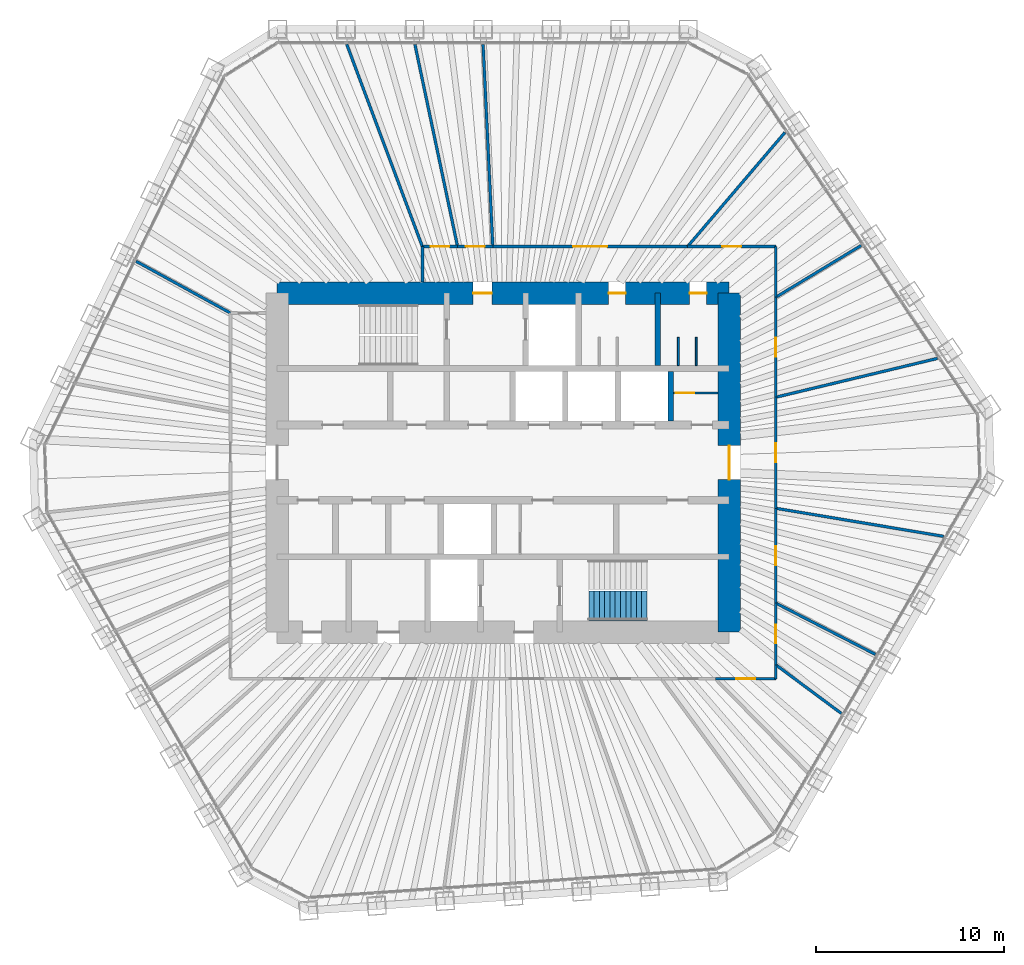
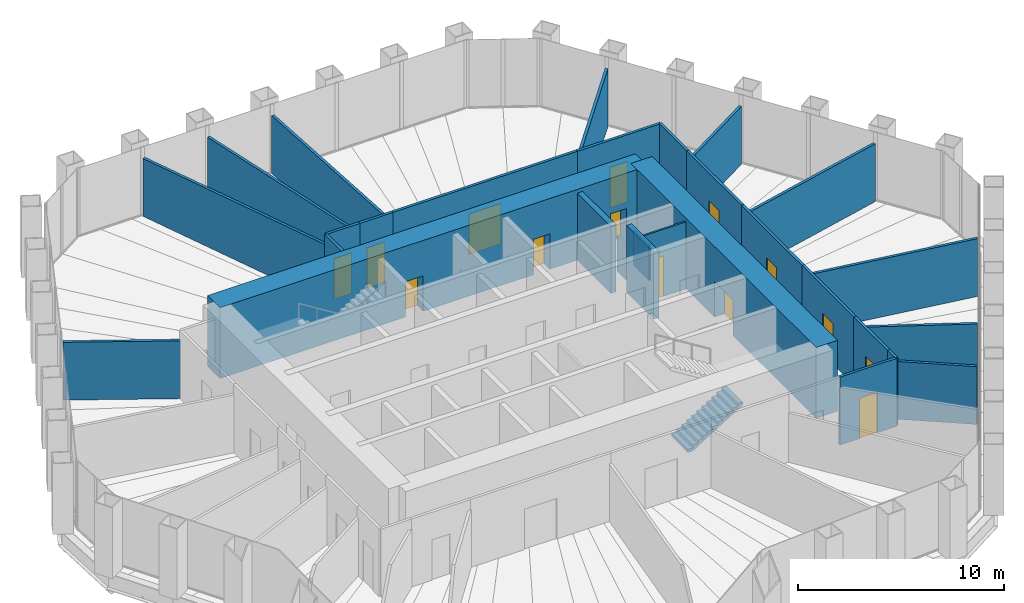
# One storey, part 12 of 14: 29 walls, 14 doors, 1 stair flight, 14 openings, 1 element without a shape of its own.
"""IFC4 building model written with IfcOpenShell, lengths in metres."""

from ifc_helpers import new_model, si_unit, direction, frame, frame_2d, origin, place, context, subcontext, project, spatial, polyline, rectangle, outline, extrude, material, layer, layer_set, type_object, element, fill, aggregate, save


model = new_model("IFC4")

# Units and contexts
model_context = context("Model", 3, precision=1e-05, world=origin(), true_north=direction((0.0, 1.0)))
body_context = subcontext(model_context, "Body", "Model", "MODEL_VIEW")
ifc_project = project(units=[si_unit("LENGTHUNIT", "METRE"), si_unit("AREAUNIT", "SQUARE_METRE"), si_unit("VOLUMEUNIT", "CUBIC_METRE"), si_unit("PLANEANGLEUNIT", "RADIAN"), si_unit("MASSUNIT", "GRAM", prefix="KILO")], contexts=[model_context])

# Site, building, storey
site_placement = place(None, origin())
site = spatial("IfcSite", under=ifc_project, at=site_placement, CompositionType="ELEMENT")
building_placement = place(site_placement, origin())
building = spatial("IfcBuilding", under=site, at=building_placement, Name="Qingtian Harvest Tower", CompositionType="ELEMENT")
storey_placement = place(building_placement, frame((0.0, 0.0, 239.199951171875)))
storey = spatial("IfcBuildingStorey", under=building, at=storey_placement, Name="L52", CompositionType="ELEMENT", Elevation=239.199951171875)

# Walls
ifc_material_1 = material(Name="Precast concrete shaft panel", Category="concrete")
ifc_layer_1 = layer(ifc_material_1, 0.300048828125)
ifc_layer_set_1 = layer_set([ifc_layer_1], Name="Core shaft partition SW1 300")
wall_type_1 = type_object("IfcWallType", Name="Core shaft partition SW1 300", PredefinedType="PARTITIONING", material=ifc_layer_set_1)
wall_1_placement = place(storey_placement, frame((8.199951171875, 5.14990234375, 0.0), z_axis=(0.0, 0.0, 1.0), x_axis=(0.0, 1.0, 0.0)))
element("IfcWall", 1, at=wall_1_placement, inside=storey, type_object=wall_type_1, Name="Core shaft partition XN4 L52", PredefinedType="PARTITIONING", context=body_context, shape_type="SweptSolid", body=[
    extrude(rectangle(XDim=3.85009765625, YDim=0.300048828125, at=frame_2d((1.925048828125, 0.0))), origin(), (0.0, 0.0, 1.0), 3.97998046875),
])
wall_2_placement = place(storey_placement, frame((8.89990234375, 2.199951171875, 0.0), z_axis=(0.0, 0.0, 1.0), x_axis=(0.0, 1.0, 0.0)))
element("IfcWall", 2, at=wall_2_placement, inside=storey, type_object=wall_type_1, Name="Core shaft partition XA6 L52", PredefinedType="PARTITIONING", context=body_context, shape_type="SweptSolid", body=[
    extrude(rectangle(XDim=2.650146484375, YDim=0.300048828125, at=frame_2d((1.3251953125, 0.0))), origin(), (0.0, 0.0, 1.0), 3.97998046875),
])

# Wall, openings, doors
ifc_material_2 = material(Name="Concrete fc' 70 MPa", Category="concrete")
ifc_layer_2 = layer(ifc_material_2, 1.199951171875)
ifc_layer_set_2 = layer_set([ifc_layer_2], Name="Core wall RC2 1200")
wall_type_2 = type_object("IfcWallType", Name="Core wall RC2 1200", PredefinedType="SHEAR", material=ifc_layer_set_2)
wall_3_placement = place(storey_placement, frame((-12.0, 9.0, 0.0), z_axis=(0.0, 0.0, 1.0), x_axis=(1.0, 0.0, 0.0)))
wall_3 = element("IfcWall", 3, at=wall_3_placement, inside=storey, type_object=wall_type_2, Name="Core wall CN L52", PredefinedType="SHEAR", context=body_context, shape_type="SweptSolid", body=[
    extrude(rectangle(XDim=24.0, YDim=1.199951171875, at=frame_2d((12.0, 0.0))), origin(), (0.0, 0.0, 1.0), 4.199951171875),
])
opening_1_placement = place(wall_3_placement, frame((10.39990234375, 0.0, 0.0)))
opening_1 = element("IfcOpeningElement", 4, at=opening_1_placement, cuts=wall_3, Name="Opening FD1", PredefinedType="OPENING", context=body_context, shape_type="SweptSolid", body=[
    extrude(rectangle(XDim=1.0, YDim=2.10009765625, at=frame_2d((0.5, 1.050048828125))), frame((0.0, 0.60986328125, 0.0), z_axis=(0.0, -1.0, 0.0), x_axis=(1.0, 0.0, 0.0)), (0.0, 0.0, 1.0), 1.219970703125),
])
opening_2_placement = place(wall_3_placement, frame((17.60009765625, 0.0, 0.0)))
opening_2 = element("IfcOpeningElement", 5, at=opening_2_placement, cuts=wall_3, Name="Opening D1", PredefinedType="OPENING", context=body_context, shape_type="SweptSolid", body=[
    extrude(rectangle(XDim=0.89990234375, YDim=2.10009765625, at=frame_2d((0.449951171875, 1.050048828125))), frame((0.0, 0.60986328125, 0.0), z_axis=(0.0, -1.0, 0.0), x_axis=(1.0, 0.0, 0.0)), (0.0, 0.0, 1.0), 1.219970703125),
])
opening_3_placement = place(wall_3_placement, frame((21.89990234375, 0.0, 0.0)))
opening_3 = element("IfcOpeningElement", 6, at=opening_3_placement, cuts=wall_3, Name="Opening D1", PredefinedType="OPENING", context=body_context, shape_type="SweptSolid", body=[
    extrude(rectangle(XDim=0.89990234375, YDim=2.10009765625, at=frame_2d((0.449951171875, 1.050048828125))), frame((0.0, 0.60986328125, 0.0), z_axis=(0.0, -1.0, 0.0), x_axis=(1.0, 0.0, 0.0)), (0.0, 0.0, 1.0), 1.219970703125),
])
ifc_material_3 = material(Name="Steel-faced door leaf", Category="steel")
door_type_1 = type_object("IfcDoorType", Name="Fire door FD1 single 1 HR", OperationType="SINGLE_SWING_LEFT", PredefinedType="DOOR", material=ifc_material_3)
door_1_placement = place(opening_1_placement, origin())
door_1 = element("IfcDoor", 7, at=door_1_placement, inside=storey, type_object=door_type_1, Name="V1 door L52", OperationType="SINGLE_SWING_LEFT", OverallHeight=2.10009765625, OverallWidth=1.0, PredefinedType="DOOR", context=body_context, shape_type="SweptSolid", body=[
    extrude(rectangle(XDim=1.0, YDim=2.10009765625, at=frame_2d((0.5, 1.050048828125))), frame((0.0, 0.02490234375, 0.0), z_axis=(0.0, -1.0, 0.0), x_axis=(1.0, 0.0, 0.0)), (0.0, 0.0, 1.0), 0.050048828125),
])
fill(opening_1, door_1)
ifc_material_4 = material(Name="Laminated timber door leaf", Category="wood")
door_type_2 = type_object("IfcDoorType", Name="Toilet door D1 single", OperationType="SINGLE_SWING_LEFT", PredefinedType="DOOR", material=ifc_material_4)
door_2_placement = place(opening_2_placement, origin())
door_2 = element("IfcDoor", 8, at=door_2_placement, inside=storey, type_object=door_type_2, Name="WCM door L52", OperationType="SINGLE_SWING_LEFT", OverallHeight=2.10009765625, OverallWidth=0.89990234375, PredefinedType="DOOR", context=body_context, shape_type="SweptSolid", body=[
    extrude(rectangle(XDim=0.89990234375, YDim=2.10009765625, at=frame_2d((0.449951171875, 1.050048828125))), frame((0.0, 0.02490234375, 0.0), z_axis=(0.0, -1.0, 0.0), x_axis=(1.0, 0.0, 0.0)), (0.0, 0.0, 1.0), 0.050048828125),
])
fill(opening_2, door_2)
door_3_placement = place(opening_3_placement, origin())
door_3 = element("IfcDoor", 9, at=door_3_placement, inside=storey, type_object=door_type_2, Name="WCF door L52", OperationType="SINGLE_SWING_LEFT", OverallHeight=2.10009765625, OverallWidth=0.89990234375, PredefinedType="DOOR", context=body_context, shape_type="SweptSolid", body=[
    extrude(rectangle(XDim=0.89990234375, YDim=2.10009765625, at=frame_2d((0.449951171875, 1.050048828125))), frame((0.0, 0.02490234375, 0.0), z_axis=(0.0, -1.0, 0.0), x_axis=(1.0, 0.0, 0.0)), (0.0, 0.0, 1.0), 0.050048828125),
])
fill(opening_3, door_3)

# Wall, opening, door
wall_4_placement = place(storey_placement, frame((12.0, -9.0, 0.0), z_axis=(0.0, 0.0, 1.0), x_axis=(0.0, 1.0, 0.0)))
wall_4 = element("IfcWall", 10, at=wall_4_placement, inside=storey, type_object=wall_type_2, Name="Core wall CE L52", PredefinedType="SHEAR", context=body_context, shape_type="SweptSolid", body=[
    extrude(rectangle(XDim=18.0, YDim=1.199951171875, at=frame_2d((9.0, 0.0))), origin(), (0.0, 0.0, 1.0), 4.199951171875),
])
opening_4_placement = place(wall_4_placement, frame((8.10009765625, 0.0, 0.0)))
opening_4 = element("IfcOpeningElement", 11, at=opening_4_placement, cuts=wall_4, Name="Opening FD2", PredefinedType="OPENING", context=body_context, shape_type="SweptSolid", body=[
    extrude(rectangle(XDim=1.800048828125, YDim=2.10009765625, at=frame_2d((0.89990234375, 1.050048828125))), frame((0.0, 0.60986328125, 0.0), z_axis=(0.0, -1.0, 0.0), x_axis=(1.0, 0.0, 0.0)), (0.0, 0.0, 1.0), 1.219970703125),
])
ifc_material_5 = material(Name="Steel-faced door leaf", Category="steel")
door_type_3 = type_object("IfcDoorType", Name="Fire door FD2 double 1 HR", OperationType="DOUBLE_DOOR_DOUBLE_SWING", PredefinedType="DOOR", material=ifc_material_5)
door_4_placement = place(opening_4_placement, origin())
door_4 = element("IfcDoor", 12, at=door_4_placement, inside=storey, type_object=door_type_3, Name="LOBBY-E door L52", OperationType="DOUBLE_DOOR_DOUBLE_SWING", OverallHeight=2.10009765625, OverallWidth=1.800048828125, PredefinedType="DOOR", context=body_context, shape_type="SweptSolid", body=[
    extrude(rectangle(XDim=1.800048828125, YDim=2.10009765625, at=frame_2d((0.89990234375, 1.050048828125))), frame((0.0, 0.02490234375, 0.0), z_axis=(0.0, -1.0, 0.0), x_axis=(1.0, 0.0, 0.0)), (0.0, 0.0, 1.0), 0.050048828125),
])
fill(opening_4, door_4)

# Walls
ifc_material_6 = material(Name="Gypsum board on steel studs", Category="steel")
ifc_layer_3 = layer(ifc_material_6, 0.14990234375)
ifc_layer_set_3 = layer_set([ifc_layer_3], Name="Partition PT1 150")
wall_type_3 = type_object("IfcWallType", Name="Partition PT1 150", PredefinedType="PARTITIONING", material=ifc_layer_set_3)
wall_5_placement = place(storey_placement, frame((-19.48583984375, 10.6904296875, 0.0), z_axis=(0.0, 0.0, 1.0), x_axis=(0.876724089264, -0.480993629172, 0.0)))
element("IfcWall", 13, at=wall_5_placement, inside=storey, type_object=wall_type_3, Name="Workplace zone wall L52", PredefinedType="PARTITIONING", context=body_context, shape_type="SweptSolid", body=[
    extrude(rectangle(XDim=5.71533203125, YDim=0.14990234375, at=frame_2d((2.857666015625, 0.0))), origin(), (0.0, 0.0, 1.0), 3.429931640625),
])
wall_6_placement = place(storey_placement, frame((-4.290771484375, 9.60009765625, 0.0), z_axis=(0.0, 0.0, 1.0), x_axis=(0.0, 1.0, 0.0)))
element("IfcWall", 14, at=wall_6_placement, inside=storey, type_object=wall_type_3, Name="Workplace zone wall L52", PredefinedType="PARTITIONING", context=body_context, shape_type="SweptSolid", body=[
    extrude(rectangle(XDim=1.875, YDim=0.14990234375, at=frame_2d((0.9375, 0.0))), origin(), (0.0, 0.0, 1.0), 4.030029296875),
])
wall_7_placement = place(storey_placement, frame((-8.303466796875, 22.206298828125, 0.0), z_axis=(0.0, 0.0, 1.0), x_axis=(0.350242883069, -0.936658914899, 0.0)))
element("IfcWall", 15, at=wall_7_placement, inside=storey, type_object=wall_type_3, Name="Private office wall L52", PredefinedType="PARTITIONING", context=body_context, shape_type="SweptSolid", body=[
    extrude(rectangle(XDim=11.456787109375, YDim=0.14990234375, at=frame_2d((5.728515625, 0.0))), origin(), (0.0, 0.0, 1.0), 3.429931640625),
])

# Wall, opening, door
wall_8_placement = place(storey_placement, frame((-4.290771484375, 11.47509765625, 0.0), z_axis=(0.0, 0.0, 1.0), x_axis=(1.0, 0.0, 0.0)))
wall_8 = element("IfcWall", 16, at=wall_8_placement, inside=storey, type_object=wall_type_3, Name="Private office wall L52", PredefinedType="PARTITIONING", context=body_context, shape_type="SweptSolid", body=[
    extrude(rectangle(XDim=1.869873046875, YDim=0.14990234375, at=frame_2d((0.93505859375, 0.0))), origin(), (0.0, 0.0, 1.0), 4.030029296875),
])
opening_5_placement = place(wall_8_placement, frame((0.434814453125, 0.0, 0.0)))
opening_5 = element("IfcOpeningElement", 17, at=opening_5_placement, cuts=wall_8, Name="Opening D2", PredefinedType="OPENING", context=body_context, shape_type="SweptSolid", body=[
    extrude(rectangle(XDim=1.0, YDim=2.39990234375, at=frame_2d((0.5, 1.199951171875))), frame((0.0, 0.0849609375, 0.0), z_axis=(0.0, -1.0, 0.0), x_axis=(1.0, 0.0, 0.0)), (0.0, 0.0, 1.0), 0.169921875),
])
ifc_material_7 = material(Name="Laminated timber door leaf", Category="wood")
door_type_4 = type_object("IfcDoorType", Name="Room door D2 single", OperationType="SINGLE_SWING_LEFT", PredefinedType="DOOR", material=ifc_material_7)
door_5_placement = place(opening_5_placement, origin())
door_5 = element("IfcDoor", 18, at=door_5_placement, inside=storey, type_object=door_type_4, Name="Private office door L52", OperationType="SINGLE_SWING_LEFT", OverallHeight=2.39990234375, OverallWidth=1.0, PredefinedType="DOOR", context=body_context, shape_type="SweptSolid", body=[
    extrude(rectangle(XDim=1.0, YDim=2.39990234375, at=frame_2d((0.5, 1.199951171875))), frame((0.0, 0.02490234375, 0.0), z_axis=(0.0, -1.0, 0.0), x_axis=(1.0, 0.0, 0.0)), (0.0, 0.0, 1.0), 0.050048828125),
])
fill(opening_5, door_5)

# Wall
wall_9_placement = place(storey_placement, frame((-4.684326171875, 22.2021484375, 0.0), z_axis=(0.0, 0.0, 1.0), x_axis=(0.206456017157, -0.978455881979, 0.0)))
element("IfcWall", 19, at=wall_9_placement, inside=storey, type_object=wall_type_3, Name="Store room wall L52", PredefinedType="PARTITIONING", context=body_context, shape_type="SweptSolid", body=[
    extrude(rectangle(XDim=10.963134765625, YDim=0.14990234375, at=frame_2d((5.4814453125, 0.0))), origin(), (0.0, 0.0, 1.0), 3.429931640625),
])

# Wall, opening, door
wall_10_placement = place(storey_placement, frame((-2.4208984375, 11.47509765625, 0.0), z_axis=(0.0, 0.0, 1.0), x_axis=(1.0, 0.0, 0.0)))
wall_10 = element("IfcWall", 20, at=wall_10_placement, inside=storey, type_object=wall_type_3, Name="Store room wall L52", PredefinedType="PARTITIONING", context=body_context, shape_type="SweptSolid", body=[
    extrude(rectangle(XDim=1.86962890625, YDim=0.14990234375, at=frame_2d((0.934814453125, 0.0))), origin(), (0.0, 0.0, 1.0), 4.030029296875),
])
opening_6_placement = place(wall_10_placement, frame((0.434814453125, 0.0, 0.0)))
opening_6 = element("IfcOpeningElement", 21, at=opening_6_placement, cuts=wall_10, Name="Opening D2", PredefinedType="OPENING", context=body_context, shape_type="SweptSolid", body=[
    extrude(rectangle(XDim=1.0, YDim=2.39990234375, at=frame_2d((0.5, 1.199951171875))), frame((0.0, 0.0849609375, 0.0), z_axis=(0.0, -1.0, 0.0), x_axis=(1.0, 0.0, 0.0)), (0.0, 0.0, 1.0), 0.169921875),
])
door_6_placement = place(opening_6_placement, origin())
door_6 = element("IfcDoor", 22, at=door_6_placement, inside=storey, type_object=door_type_4, Name="Store room door L52", OperationType="SINGLE_SWING_LEFT", OverallHeight=2.39990234375, OverallWidth=1.0, PredefinedType="DOOR", context=body_context, shape_type="SweptSolid", body=[
    extrude(rectangle(XDim=1.0, YDim=2.39990234375, at=frame_2d((0.5, 1.199951171875))), frame((0.0, 0.02490234375, 0.0), z_axis=(0.0, -1.0, 0.0), x_axis=(1.0, 0.0, 0.0)), (0.0, 0.0, 1.0), 0.050048828125),
])
fill(opening_6, door_6)

# Wall
wall_11_placement = place(storey_placement, frame((-1.066650390625, 22.2001953125, 0.0), z_axis=(0.0, 0.0, 1.0), x_axis=(0.047998335863, -0.998847415652, 0.0)))
element("IfcWall", 23, at=wall_11_placement, inside=storey, type_object=wall_type_3, Name="Workplace zone wall L52", PredefinedType="PARTITIONING", context=body_context, shape_type="SweptSolid", body=[
    extrude(rectangle(XDim=10.737548828125, YDim=0.14990234375, at=frame_2d((5.36865234375, 0.0))), origin(), (0.0, 0.0, 1.0), 3.429931640625),
])

# Wall, opening, door
wall_12_placement = place(storey_placement, frame((-0.55126953125, 11.47509765625, 0.0), z_axis=(0.0, 0.0, 1.0), x_axis=(1.0, 0.0, 0.0)))
wall_12 = element("IfcWall", 24, at=wall_12_placement, inside=storey, type_object=wall_type_3, Name="Workplace zone wall L52", PredefinedType="PARTITIONING", context=body_context, shape_type="SweptSolid", body=[
    extrude(rectangle(XDim=10.34228515625, YDim=0.14990234375, at=frame_2d((5.171142578125, 0.0))), origin(), (0.0, 0.0, 1.0), 4.030029296875),
])
opening_7_placement = place(wall_12_placement, frame((4.271240234375, 0.0, 0.0)))
opening_7 = element("IfcOpeningElement", 25, at=opening_7_placement, cuts=wall_12, Name="Opening D3", PredefinedType="OPENING", context=body_context, shape_type="SweptSolid", body=[
    extrude(rectangle(XDim=1.800048828125, YDim=2.39990234375, at=frame_2d((0.89990234375, 1.199951171875))), frame((0.0, 0.0849609375, 0.0), z_axis=(0.0, -1.0, 0.0), x_axis=(1.0, 0.0, 0.0)), (0.0, 0.0, 1.0), 0.169921875),
])
ifc_material_8 = material(Name="Laminated timber door leaf", Category="wood")
door_type_5 = type_object("IfcDoorType", Name="Room door D3 double", OperationType="DOUBLE_DOOR_DOUBLE_SWING", PredefinedType="DOOR", material=ifc_material_8)
door_7_placement = place(opening_7_placement, origin())
door_7 = element("IfcDoor", 26, at=door_7_placement, inside=storey, type_object=door_type_5, Name="Workplace zone door L52", OperationType="DOUBLE_DOOR_DOUBLE_SWING", OverallHeight=2.39990234375, OverallWidth=1.800048828125, PredefinedType="DOOR", context=body_context, shape_type="SweptSolid", body=[
    extrude(rectangle(XDim=1.800048828125, YDim=2.39990234375, at=frame_2d((0.89990234375, 1.199951171875))), frame((0.0, 0.02490234375, 0.0), z_axis=(0.0, -1.0, 0.0), x_axis=(1.0, 0.0, 0.0)), (0.0, 0.0, 1.0), 0.050048828125),
])
fill(opening_7, door_7)

# Wall
wall_13_placement = place(storey_placement, frame((14.9580078125, 17.530517578125, 0.0), z_axis=(0.0, 0.0, 1.0), x_axis=(-0.649097500837, -0.760705221756, 0.0)))
element("IfcWall", 27, at=wall_13_placement, inside=storey, type_object=wall_type_3, Name="Pantry wall L52", PredefinedType="PARTITIONING", context=body_context, shape_type="SweptSolid", body=[
    extrude(rectangle(XDim=7.960205078125, YDim=0.14990234375, at=frame_2d((3.97998046875, 0.0))), origin(), (0.0, 0.0, 1.0), 3.429931640625),
])

# Wall, opening, door
wall_14_placement = place(storey_placement, frame((9.791015625, 11.47509765625, 0.0), z_axis=(0.0, 0.0, 1.0), x_axis=(1.0, 0.0, 0.0)))
wall_14 = element("IfcWall", 28, at=wall_14_placement, inside=storey, type_object=wall_type_3, Name="Pantry wall L52", PredefinedType="PARTITIONING", context=body_context, shape_type="SweptSolid", body=[
    extrude(rectangle(XDim=4.68408203125, YDim=0.14990234375, at=frame_2d((2.342041015625, 0.0))), origin(), (0.0, 0.0, 1.0), 4.030029296875),
])
opening_8_placement = place(wall_14_placement, frame((1.842041015625, 0.0, 0.0)))
opening_8 = element("IfcOpeningElement", 29, at=opening_8_placement, cuts=wall_14, Name="Opening D2", PredefinedType="OPENING", context=body_context, shape_type="SweptSolid", body=[
    extrude(rectangle(XDim=1.0, YDim=2.39990234375, at=frame_2d((0.5, 1.199951171875))), frame((0.0, 0.0849609375, 0.0), z_axis=(0.0, -1.0, 0.0), x_axis=(1.0, 0.0, 0.0)), (0.0, 0.0, 1.0), 0.169921875),
])
door_8_placement = place(opening_8_placement, origin())
door_8 = element("IfcDoor", 30, at=door_8_placement, inside=storey, type_object=door_type_4, Name="Pantry door L52", OperationType="SINGLE_SWING_RIGHT", OverallHeight=2.39990234375, OverallWidth=1.0, PredefinedType="DOOR", context=body_context, shape_type="SweptSolid", body=[
    extrude(rectangle(XDim=1.0, YDim=2.39990234375, at=frame_2d((0.5, 1.199951171875))), frame((0.0, 0.02490234375, 0.0), z_axis=(0.0, -1.0, 0.0), x_axis=(1.0, 0.0, 0.0)), (0.0, 0.0, 1.0), 0.050048828125),
])
fill(opening_8, door_8)

# Walls
wall_15_placement = place(storey_placement, frame((14.47509765625, 11.47509765625, 0.0), z_axis=(0.0, 0.0, 1.0), x_axis=(0.0, -1.0, 0.0)))
element("IfcWall", 31, at=wall_15_placement, inside=storey, type_object=wall_type_3, Name="Pantry wall L52", PredefinedType="PARTITIONING", context=body_context, shape_type="SweptSolid", body=[
    extrude(rectangle(XDim=2.691650390625, YDim=0.14990234375, at=frame_2d((1.345703125, 0.0))), origin(), (0.0, 0.0, 1.0), 4.030029296875),
])
wall_16_placement = place(storey_placement, frame((19.001220703125, 11.530029296875, 0.0), z_axis=(0.0, 0.0, 1.0), x_axis=(-0.854906581035, -0.518781975114, 0.0)))
element("IfcWall", 32, at=wall_16_placement, inside=storey, type_object=wall_type_3, Name="Print room wall L52", PredefinedType="PARTITIONING", context=body_context, shape_type="SweptSolid", body=[
    extrude(rectangle(XDim=5.294189453125, YDim=0.14990234375, at=frame_2d((2.64697265625, 0.0))), origin(), (0.0, 0.0, 1.0), 3.429931640625),
])

# Wall, opening, door
wall_17_placement = place(storey_placement, frame((14.47509765625, 8.783447265625, 0.0), z_axis=(0.0, 0.0, 1.0), x_axis=(0.0, -1.0, 0.0)))
wall_17 = element("IfcWall", 33, at=wall_17_placement, inside=storey, type_object=wall_type_3, Name="Print room wall L52", PredefinedType="PARTITIONING", context=body_context, shape_type="SweptSolid", body=[
    extrude(rectangle(XDim=5.308837890625, YDim=0.14990234375, at=frame_2d((2.654296875, 0.0))), origin(), (0.0, 0.0, 1.0), 4.030029296875),
])
opening_9_placement = place(wall_17_placement, frame((2.154296875, 0.0, 0.0)))
opening_9 = element("IfcOpeningElement", 34, at=opening_9_placement, cuts=wall_17, Name="Opening D2", PredefinedType="OPENING", context=body_context, shape_type="SweptSolid", body=[
    extrude(rectangle(XDim=1.0, YDim=2.39990234375, at=frame_2d((0.5, 1.199951171875))), frame((0.0, 0.0849609375, 0.0), z_axis=(0.0, -1.0, 0.0), x_axis=(1.0, 0.0, 0.0)), (0.0, 0.0, 1.0), 0.169921875),
])
door_9_placement = place(opening_9_placement, origin())
door_9 = element("IfcDoor", 35, at=door_9_placement, inside=storey, type_object=door_type_4, Name="Print room door L52", OperationType="SINGLE_SWING_RIGHT", OverallHeight=2.39990234375, OverallWidth=1.0, PredefinedType="DOOR", context=body_context, shape_type="SweptSolid", body=[
    extrude(rectangle(XDim=1.0, YDim=2.39990234375, at=frame_2d((0.5, 1.199951171875))), frame((0.0, 0.02490234375, 0.0), z_axis=(0.0, -1.0, 0.0), x_axis=(1.0, 0.0, 0.0)), (0.0, 0.0, 1.0), 0.050048828125),
])
fill(opening_9, door_9)

# Wall
wall_18_placement = place(storey_placement, frame((23.052978515625, 5.53369140625, 0.0), z_axis=(0.0, 0.0, 1.0), x_axis=(-0.972377252501, -0.233414821335, 0.0)))
element("IfcWall", 36, at=wall_18_placement, inside=storey, type_object=wall_type_3, Name="Meeting room wall L52", PredefinedType="PARTITIONING", context=body_context, shape_type="SweptSolid", body=[
    extrude(rectangle(XDim=8.821533203125, YDim=0.14990234375, at=frame_2d((4.41064453125, 0.0))), origin(), (0.0, 0.0, 1.0), 3.429931640625),
])

# Wall, opening, door
wall_19_placement = place(storey_placement, frame((14.47509765625, 3.474609375, 0.0), z_axis=(0.0, 0.0, 1.0), x_axis=(0.0, -1.0, 0.0)))
wall_19 = element("IfcWall", 37, at=wall_19_placement, inside=storey, type_object=wall_type_3, Name="Meeting room wall L52", PredefinedType="PARTITIONING", context=body_context, shape_type="SweptSolid", body=[
    extrude(rectangle(XDim=5.896484375, YDim=0.14990234375, at=frame_2d((2.9482421875, 0.0))), origin(), (0.0, 0.0, 1.0), 4.030029296875),
])
opening_10_placement = place(wall_19_placement, frame((2.4482421875, 0.0, 0.0)))
opening_10 = element("IfcOpeningElement", 38, at=opening_10_placement, cuts=wall_19, Name="Opening D2", PredefinedType="OPENING", context=body_context, shape_type="SweptSolid", body=[
    extrude(rectangle(XDim=1.0, YDim=2.39990234375, at=frame_2d((0.5, 1.199951171875))), frame((0.0, 0.0849609375, 0.0), z_axis=(0.0, -1.0, 0.0), x_axis=(1.0, 0.0, 0.0)), (0.0, 0.0, 1.0), 0.169921875),
])
door_10_placement = place(opening_10_placement, origin())
door_10 = element("IfcDoor", 39, at=door_10_placement, inside=storey, type_object=door_type_4, Name="Meeting room door L52", OperationType="SINGLE_SWING_RIGHT", OverallHeight=2.39990234375, OverallWidth=1.0, PredefinedType="DOOR", context=body_context, shape_type="SweptSolid", body=[
    extrude(rectangle(XDim=1.0, YDim=2.39990234375, at=frame_2d((0.5, 1.199951171875))), frame((0.0, 0.02490234375, 0.0), z_axis=(0.0, -1.0, 0.0), x_axis=(1.0, 0.0, 0.0)), (0.0, 0.0, 1.0), 0.050048828125),
])
fill(opening_10, door_10)

# Wall
wall_20_placement = place(storey_placement, frame((23.383056640625, -3.912109375, 0.0), z_axis=(0.0, 0.0, 1.0), x_axis=(-0.986293651891, 0.164999491631, 0.0)))
element("IfcWall", 40, at=wall_20_placement, inside=storey, type_object=wall_type_3, Name="Quiet room wall L52", PredefinedType="PARTITIONING", context=body_context, shape_type="SweptSolid", body=[
    extrude(rectangle(XDim=9.03173828125, YDim=0.14990234375, at=frame_2d((4.515869140625, 0.0))), origin(), (0.0, 0.0, 1.0), 3.429931640625),
])

# Wall, opening, door
wall_21_placement = place(storey_placement, frame((14.47509765625, -2.421875, 0.0), z_axis=(0.0, 0.0, 1.0), x_axis=(0.0, -1.0, 0.0)))
wall_21 = element("IfcWall", 41, at=wall_21_placement, inside=storey, type_object=wall_type_3, Name="Quiet room wall L52", PredefinedType="PARTITIONING", context=body_context, shape_type="SweptSolid", body=[
    extrude(rectangle(XDim=5.033203125, YDim=0.14990234375, at=frame_2d((2.5166015625, 0.0))), origin(), (0.0, 0.0, 1.0), 4.030029296875),
])
opening_11_placement = place(wall_21_placement, frame((2.0166015625, 0.0, 0.0)))
opening_11 = element("IfcOpeningElement", 42, at=opening_11_placement, cuts=wall_21, Name="Opening D2", PredefinedType="OPENING", context=body_context, shape_type="SweptSolid", body=[
    extrude(rectangle(XDim=1.0, YDim=2.39990234375, at=frame_2d((0.5, 1.199951171875))), frame((0.0, 0.0849609375, 0.0), z_axis=(0.0, -1.0, 0.0), x_axis=(1.0, 0.0, 0.0)), (0.0, 0.0, 1.0), 0.169921875),
])
door_11_placement = place(opening_11_placement, origin())
door_11 = element("IfcDoor", 43, at=door_11_placement, inside=storey, type_object=door_type_4, Name="Quiet room door L52", OperationType="SINGLE_SWING_RIGHT", OverallHeight=2.39990234375, OverallWidth=1.0, PredefinedType="DOOR", context=body_context, shape_type="SweptSolid", body=[
    extrude(rectangle(XDim=1.0, YDim=2.39990234375, at=frame_2d((0.5, 1.199951171875))), frame((0.0, 0.02490234375, 0.0), z_axis=(0.0, -1.0, 0.0), x_axis=(1.0, 0.0, 0.0)), (0.0, 0.0, 1.0), 0.050048828125),
])
fill(opening_11, door_11)

# Wall
wall_22_placement = place(storey_placement, frame((19.759033203125, -10.176513671875, 0.0), z_axis=(0.0, 0.0, 1.0), x_axis=(-0.889015092721, 0.457877893017, 0.0)))
element("IfcWall", 44, at=wall_22_placement, inside=storey, type_object=wall_type_3, Name="Private office wall L52", PredefinedType="PARTITIONING", context=body_context, shape_type="SweptSolid", body=[
    extrude(rectangle(XDim=5.943603515625, YDim=0.14990234375, at=frame_2d((2.9716796875, 0.0))), origin(), (0.0, 0.0, 1.0), 3.429931640625),
])

# Wall, opening, door
wall_23_placement = place(storey_placement, frame((14.47509765625, -7.455078125, 0.0), z_axis=(0.0, 0.0, 1.0), x_axis=(0.0, -1.0, 0.0)))
wall_23 = element("IfcWall", 45, at=wall_23_placement, inside=storey, type_object=wall_type_3, Name="Private office wall L52", PredefinedType="PARTITIONING", context=body_context, shape_type="SweptSolid", body=[
    extrude(rectangle(XDim=3.277099609375, YDim=0.14990234375, at=frame_2d((1.638671875, 0.0))), origin(), (0.0, 0.0, 1.0), 4.030029296875),
])
opening_12_placement = place(wall_23_placement, frame((1.138671875, 0.0, 0.0)))
opening_12 = element("IfcOpeningElement", 46, at=opening_12_placement, cuts=wall_23, Name="Opening D2", PredefinedType="OPENING", context=body_context, shape_type="SweptSolid", body=[
    extrude(rectangle(XDim=1.0, YDim=2.39990234375, at=frame_2d((0.5, 1.199951171875))), frame((0.0, 0.0849609375, 0.0), z_axis=(0.0, -1.0, 0.0), x_axis=(1.0, 0.0, 0.0)), (0.0, 0.0, 1.0), 0.169921875),
])
door_12_placement = place(opening_12_placement, origin())
door_12 = element("IfcDoor", 47, at=door_12_placement, inside=storey, type_object=door_type_4, Name="Private office door L52", OperationType="SINGLE_SWING_LEFT", OverallHeight=2.39990234375, OverallWidth=1.0, PredefinedType="DOOR", context=body_context, shape_type="SweptSolid", body=[
    extrude(rectangle(XDim=1.0, YDim=2.39990234375, at=frame_2d((0.5, 1.199951171875))), frame((0.0, 0.02490234375, 0.0), z_axis=(0.0, -1.0, 0.0), x_axis=(1.0, 0.0, 0.0)), (0.0, 0.0, 1.0), 0.050048828125),
])
fill(opening_12, door_12)

# Walls
wall_24_placement = place(storey_placement, frame((17.950927734375, -13.309326171875, 0.0), z_axis=(0.0, 0.0, 1.0), x_axis=(-0.803285242674, 0.595594508791, 0.0)))
element("IfcWall", 48, at=wall_24_placement, inside=storey, type_object=wall_type_3, Name="Private office wall L52", PredefinedType="PARTITIONING", context=body_context, shape_type="SweptSolid", body=[
    extrude(rectangle(XDim=4.326904296875, YDim=0.14990234375, at=frame_2d((2.16357421875, 0.0))), origin(), (0.0, 0.0, 1.0), 3.429931640625),
])
wall_25_placement = place(storey_placement, frame((14.47509765625, -10.732177734375, 0.0), z_axis=(0.0, 0.0, 1.0), x_axis=(0.0, -1.0, 0.0)))
element("IfcWall", 49, at=wall_25_placement, inside=storey, type_object=wall_type_3, Name="Private office wall L52", PredefinedType="PARTITIONING", context=body_context, shape_type="SweptSolid", body=[
    extrude(rectangle(XDim=0.742919921875, YDim=0.14990234375, at=frame_2d((0.37158203125, 0.0))), origin(), (0.0, 0.0, 1.0), 4.030029296875),
])

# Wall, opening, door
wall_26_placement = place(storey_placement, frame((14.47509765625, -11.47509765625, 0.0), z_axis=(0.0, 0.0, 1.0), x_axis=(-1.0, 0.0, 0.0)))
wall_26 = element("IfcWall", 50, at=wall_26_placement, inside=storey, type_object=wall_type_3, Name="Private office wall L52", PredefinedType="PARTITIONING", context=body_context, shape_type="SweptSolid", body=[
    extrude(rectangle(XDim=3.20947265625, YDim=0.14990234375, at=frame_2d((1.604736328125, 0.0))), origin(), (0.0, 0.0, 1.0), 4.030029296875),
])
opening_13_placement = place(wall_26_placement, frame((1.104736328125, 0.0, 0.0)))
opening_13 = element("IfcOpeningElement", 51, at=opening_13_placement, cuts=wall_26, Name="Opening D2", PredefinedType="OPENING", context=body_context, shape_type="SweptSolid", body=[
    extrude(rectangle(XDim=1.0, YDim=2.39990234375, at=frame_2d((0.5, 1.199951171875))), frame((0.0, 0.0849609375, 0.0), z_axis=(0.0, -1.0, 0.0), x_axis=(1.0, 0.0, 0.0)), (0.0, 0.0, 1.0), 0.169921875),
])
door_13_placement = place(opening_13_placement, origin())
door_13 = element("IfcDoor", 52, at=door_13_placement, inside=storey, type_object=door_type_4, Name="Private office door L52", OperationType="SINGLE_SWING_LEFT", OverallHeight=2.39990234375, OverallWidth=1.0, PredefinedType="DOOR", context=body_context, shape_type="SweptSolid", body=[
    extrude(rectangle(XDim=1.0, YDim=2.39990234375, at=frame_2d((0.5, 1.199951171875))), frame((0.0, 0.02490234375, 0.0), z_axis=(0.0, -1.0, 0.0), x_axis=(1.0, 0.0, 0.0)), (0.0, 0.0, 1.0), 0.050048828125),
])
fill(opening_13, door_13)

ifc_material_9 = material(Name="Concrete block partition", Category="concrete")
ifc_layer_4 = layer(ifc_material_9, 0.10009765625)
ifc_layer_set_4 = layer_set([ifc_layer_4], Name="Store partition PT3 100")
wall_type_4 = type_object("IfcWallType", Name="Store partition PT3 100", PredefinedType="PARTITIONING", material=ifc_layer_set_4)
wall_27_placement = place(storey_placement, frame((9.050048828125, 3.699951171875, 0.0), z_axis=(0.0, 0.0, 1.0), x_axis=(1.0, 0.0, 0.0)))
wall_27 = element("IfcWall", 53, at=wall_27_placement, inside=storey, type_object=wall_type_4, Name="Filter plant room wall L52", PredefinedType="PARTITIONING", context=body_context, shape_type="SweptSolid", body=[
    extrude(rectangle(XDim=2.349853515625, YDim=0.10009765625, at=frame_2d((1.1748046875, 0.0))), origin(), (0.0, 0.0, 1.0), 3.97998046875),
])
opening_14_placement = place(wall_27_placement, frame((0.10009765625, 0.0, 0.0)))
opening_14 = element("IfcOpeningElement", 54, at=opening_14_placement, cuts=wall_27, Name="Opening D2", PredefinedType="OPENING", context=body_context, shape_type="SweptSolid", body=[
    extrude(rectangle(XDim=1.0, YDim=2.39990234375, at=frame_2d((0.5, 1.199951171875))), frame((0.0, 0.06005859375, 0.0), z_axis=(0.0, -1.0, 0.0), x_axis=(1.0, 0.0, 0.0)), (0.0, 0.0, 1.0), 0.1201171875),
])
door_14_placement = place(opening_14_placement, origin())
door_14 = element("IfcDoor", 55, at=door_14_placement, inside=storey, type_object=door_type_4, Name="Filter plant room door L52", OperationType="SINGLE_SWING_RIGHT", OverallHeight=2.39990234375, OverallWidth=1.0, PredefinedType="DOOR", context=body_context, shape_type="SweptSolid", body=[
    extrude(rectangle(XDim=1.0, YDim=2.39990234375, at=frame_2d((0.5, 1.199951171875))), frame((0.0, 0.02490234375, 0.0), z_axis=(0.0, -1.0, 0.0), x_axis=(1.0, 0.0, 0.0)), (0.0, 0.0, 1.0), 0.050048828125),
])
fill(opening_14, door_14)

# Walls
ifc_material_10 = material(Name="Compact laminate cubicle partition", Category="plastic")
ifc_layer_5 = layer(ifc_material_10, 0.10009765625)
ifc_layer_set_5 = layer_set([ifc_layer_5], Name="WC cubicle partition WP1 100")
wall_type_5 = type_object("IfcWallType", Name="WC cubicle partition WP1 100", PredefinedType="PARTITIONING", material=ifc_layer_set_5)
for number, where, z_axis, x_axis, name in (
    (56, (9.300048828125, 5.14990234375, 0.0), (0.0, 0.0, 1.0), (0.0, 1.0, 0.0), "WC cubicle partition WCF L52"),
    (57, (10.25, 5.14990234375, 0.0), (0.0, 0.0, 1.0), (0.0, 1.0, 0.0), "WC cubicle partition WCF L52"),
):
    element("IfcWall", number, at=place(storey_placement, frame(where, z_axis=z_axis, x_axis=x_axis)), inside=storey, type_object=wall_type_5, Name=name, PredefinedType="PARTITIONING", context=body_context, shape_type="SweptSolid", body=[
        extrude(rectangle(XDim=1.5, YDim=0.10009765625, at=frame_2d((0.75, 0.0))), origin(), (0.0, 0.0, 1.0), 2.10009765625),
    ])

# Stair, stair flight
ifc_material_11 = material(Name="Concrete fc' 35 MPa", Category="concrete")
stair_type = type_object("IfcStairType", Name="Special stair ST4 4200", PredefinedType="HALF_TURN_STAIR", material=ifc_material_11)
stair_placement = place(storey_placement, origin())
stair = element("IfcStair", 58, at=stair_placement, inside=storey, type_object=stair_type, Name="Special stair S2 L52", PredefinedType="HALF_TURN_STAIR")
ifc_material_12 = material(Name="Concrete fc' 35 MPa", Category="concrete")
stair_flight_type = type_object("IfcStairFlightType", Name="Stair flight SF4 4200", PredefinedType="STRAIGHT", material=ifc_material_12)
stair_flight_placement = place(storey_placement, frame((4.550048828125, -7.612548828125, 0.0), z_axis=(0.0, 0.0, 1.0), x_axis=(1.0, 0.0, 0.0)))
stair_flight = element("IfcStairFlight", 59, at=stair_flight_placement, type_object=stair_flight_type, Name="S2 flight 1", NumberOfRisers=12, NumberOfTreads=11, PredefinedType="STRAIGHT", RiserHeight=0.175, TreadLength=0.28, context=body_context, shape_type="SweptSolid", body=[
    extrude(outline(polyline([(0.0, 0.0), (0.0, 0.175048828125), (0.280029296875, 0.175048828125), (0.280029296875, 0.35009765625), (0.56005859375, 0.35009765625), (0.56005859375, 0.52490234375), (0.840087890625, 0.52490234375), (0.840087890625, 0.699951171875), (1.1201171875, 0.699951171875), (1.1201171875, 0.875), (1.39990234375, 0.875), (1.39990234375, 1.050048828125), (1.679931640625, 1.050048828125), (1.679931640625, 1.22509765625), (1.9599609375, 1.22509765625), (1.9599609375, 1.39990234375), (2.239990234375, 1.39990234375), (2.239990234375, 1.574951171875), (2.52001953125, 1.574951171875), (2.52001953125, 1.75), (2.800048828125, 1.75), (2.800048828125, 1.925048828125), (3.080078125, 1.925048828125), (3.080078125, 2.10009765625), (3.080078125, 1.748291015625), (0.28271484375, 0.0), (0.0, 0.0)])), frame((0.0, 0.78759765625, 0.0), z_axis=(0.0, -1.0, 0.0), x_axis=(1.0, 0.0, 0.0)), (0.0, 0.0, 1.0), 1.574951171875),
])
aggregate(stair, [stair_flight])

save(model, "model.ifc")
